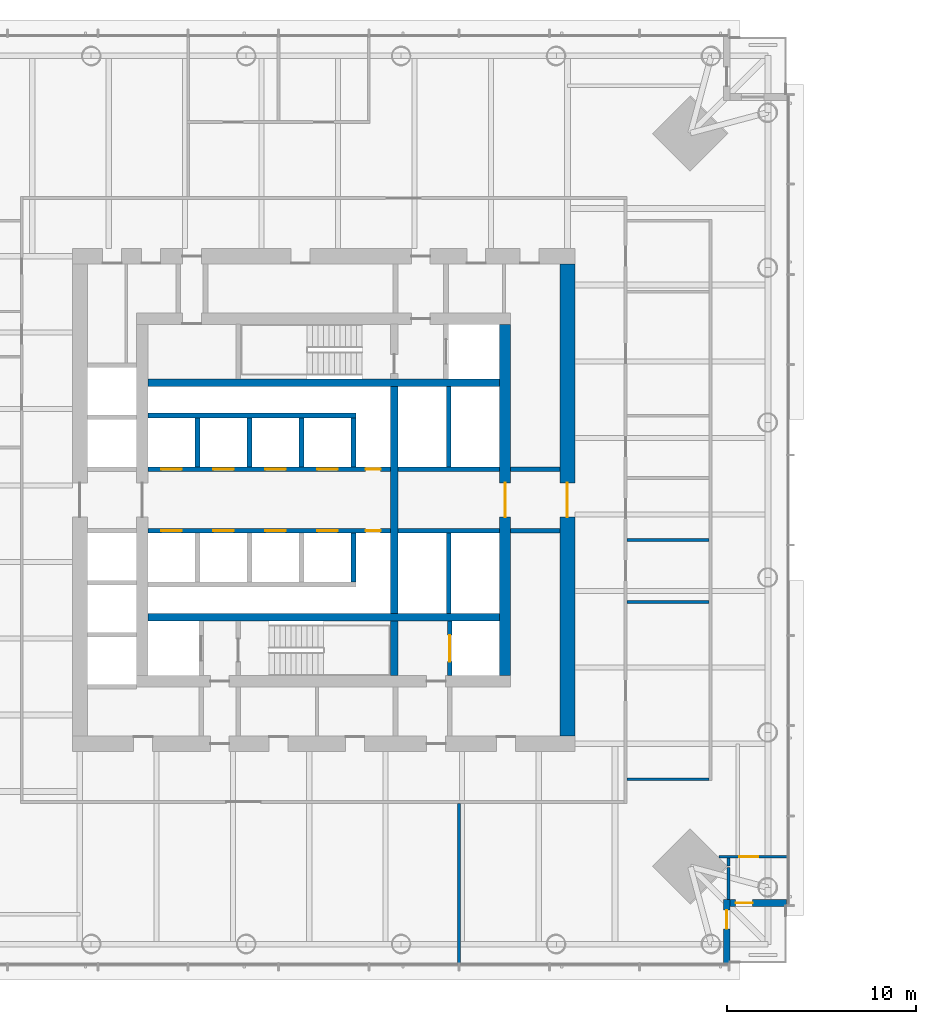
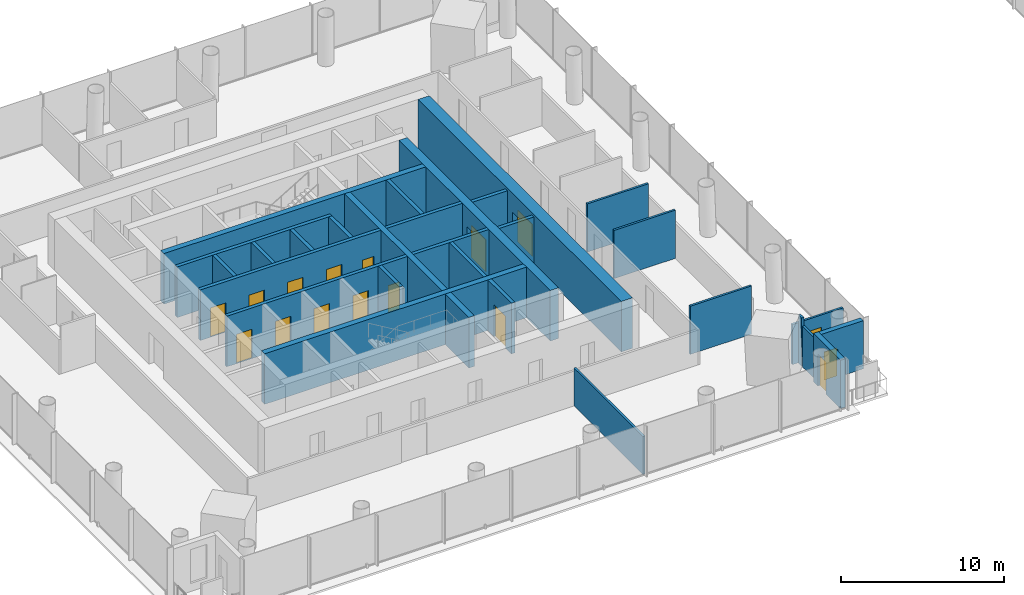
# One storey, part 10 of 26: 30 walls, 16 doors, 16 openings.
"""IFC4 building model written with IfcOpenShell, lengths in metres."""

import ifcopenshell
import ifcopenshell.guid

model = None  # the IFC model being written
_history = None  # IfcOwnerHistory: only IFC2X3 demands one
_inside = {}  # id of a spatial element -> (the spatial element, [elements in it])
_under = {}  # id of a project, library or spatial element -> (it, [spatial elements below it])
_declared = {}  # id of a project -> (the project, [libraries it declares])
_typed = {}  # id of a type object -> (the type object, [elements of that type])
_made_of = {}  # id of a material, layer set ... -> (it, [elements and type objects made of it])


def new_model(schema):
    """Start an empty IFC model of exactly this schema.

    Asked for "IFC4X3", IfcOpenShell would pick the latest addendum, in which some entities
    have other attributes; the version numbers below select the first issue.
    IFC2X3 requires an IfcOwnerHistory on every rooted entity: one is made here for all.
    """
    global model, _history
    if schema == "IFC4X3":
        model = ifcopenshell.file(schema_version=(4, 3, 0, 0))
    else:
        model = ifcopenshell.file(schema=schema)
    _inside.clear()
    _under.clear()
    _declared.clear()
    _typed.clear()
    _made_of.clear()
    _history = None
    if model.schema == "IFC2X3":
        org = make("IfcOrganization", Name="unknown")
        user = make(
            "IfcPersonAndOrganization",
            ThePerson=make("IfcPerson", FamilyName="unknown"),
            TheOrganization=org,
        )
        app = make(
            "IfcApplication",
            ApplicationDeveloper=org,
            Version="unknown",
            ApplicationFullName="unknown",
            ApplicationIdentifier="unknown",
        )
        _history = make(
            "IfcOwnerHistory",
            OwningUser=user,
            OwningApplication=app,
            ChangeAction="ADDED",
            CreationDate=0,
        )
    return model


def make(cls, **values):
    """One entity of the class cls with the attributes given. An attribute that is None is left unset."""
    return model.create_entity(
        cls, **{name: value for name, value in values.items() if value is not None}
    )


def rooted(cls, **values):
    """An entity with a GlobalId (a new one), such as an element, a storey or a relation."""
    return make(cls, GlobalId=ifcopenshell.guid.new(), OwnerHistory=_history, **values)


def si_unit(unit_type, name, prefix=None):
    """IfcSIUnit, for example si_unit("LENGTHUNIT", "METRE", prefix="MILLI")."""
    return make("IfcSIUnit", UnitType=unit_type, Prefix=prefix, Name=name)


def assignment(units):
    """IfcUnitAssignment: the units of a project."""
    return None if units is None else make("IfcUnitAssignment", Units=units)


def point(xyz):
    """IfcCartesianPoint."""
    return None if xyz is None else make("IfcCartesianPoint", Coordinates=xyz)


def direction(xyz):
    """IfcDirection."""
    return None if xyz is None else make("IfcDirection", DirectionRatios=xyz)


def frame(location, z_axis=None, x_axis=None):
    """IfcAxis2Placement3D, a coordinate frame: its origin and axes. An axis left out is left unset."""
    return make(
        "IfcAxis2Placement3D",
        Location=point(location),
        Axis=direction(z_axis),
        RefDirection=direction(x_axis),
    )


def frame_2d(location, x_axis=None):
    """IfcAxis2Placement2D, a coordinate frame in the plane: its origin and x axis."""
    return make(
        "IfcAxis2Placement2D", Location=point(location), RefDirection=direction(x_axis)
    )


def origin():
    """The frame at (0, 0, 0) with its axes left unset."""
    return frame((0.0, 0.0, 0.0))


def place(relative_to, where):
    """IfcLocalPlacement: puts the frame where relative to a parent placement (None: the world)."""
    return make(
        "IfcLocalPlacement", PlacementRelTo=relative_to, RelativePlacement=where
    )


def context(
    kind, dimensions, precision=None, world=None, true_north=None, identifier=None
):
    """IfcGeometricRepresentationContext, for example the 3D "Model" context."""
    return make(
        "IfcGeometricRepresentationContext",
        ContextIdentifier=identifier,
        ContextType=kind,
        CoordinateSpaceDimension=dimensions,
        Precision=precision,
        WorldCoordinateSystem=world,
        TrueNorth=true_north,
    )


def subcontext(parent, identifier, kind, view, scale=None):
    """IfcGeometricRepresentationSubContext, for example "Body" below "Model"."""
    return make(
        "IfcGeometricRepresentationSubContext",
        ContextIdentifier=identifier,
        ContextType=kind,
        ParentContext=parent,
        TargetScale=scale,
        TargetView=view,
    )


def project(units=None, contexts=None):
    """IfcProject with its units and contexts."""
    return rooted(
        "IfcProject",
        Name="project",
        RepresentationContexts=contexts,
        UnitsInContext=assignment(units),
    )


def spatial(cls, under=None, at=None, **own):
    """A site, building, storey or space (cls), placed at a placement, below another one or the project."""
    s = rooted(cls, ObjectPlacement=at, **own)
    if under is not None:
        _under.setdefault(under.id(), (under, []))[1].append(s)
    return s


def profile(cls, at=None, kind="AREA", **sizes):
    """A parametric profile (cls). Its sizes go by their IFC names, for example OverallWidth=200.0."""
    return make(cls, ProfileType=kind, Position=at, **sizes)


def rectangle(**sizes):
    """IfcRectangleProfileDef."""
    return profile("IfcRectangleProfileDef", **sizes)


def extrude(swept, where, along, depth):
    """IfcExtrudedAreaSolid: the profile swept, set in the frame where, extruded along a direction by depth."""
    return make(
        "IfcExtrudedAreaSolid",
        SweptArea=swept,
        Position=where,
        ExtrudedDirection=direction(along),
        Depth=depth,
    )


def shape(context_of_items, identifier, shape_type, items):
    """IfcShapeRepresentation: the items that make up one representation, for example the "Body"."""
    return make(
        "IfcShapeRepresentation",
        ContextOfItems=context_of_items,
        RepresentationIdentifier=identifier,
        RepresentationType=shape_type,
        Items=items,
    )


def material(Name=None, Category=None):
    """IfcMaterial."""
    return make("IfcMaterial", Name=Name, Category=Category)


def layer(
    of_material, thickness, ventilated=None, Name=None, Category=None, Priority=None
):
    """IfcMaterialLayer: one layer of a wall or slab, of a material (None: an air gap)."""
    return make(
        "IfcMaterialLayer",
        Material=of_material,
        LayerThickness=thickness,
        IsVentilated=ventilated,
        Name=Name,
        Category=Category,
        Priority=Priority,
    )


def layer_set(layers, Name=None):
    """IfcMaterialLayerSet."""
    return make("IfcMaterialLayerSet", MaterialLayers=layers, LayerSetName=Name)


def made_of(thing, what):
    """Note that an element or type object is made of a material, layer set ...; save() writes the relation."""
    if what is not None:
        _made_of.setdefault(what.id(), (what, []))[1].append(thing)
    return thing


def type_object(cls, material=None, **own):
    """A type object (cls), such as IfcWallType, which elements share."""
    return made_of(rooted(cls, **own), material)


def element(
    cls,
    number,
    at=None,
    inside=None,
    cuts=None,
    type_object=None,
    material=None,
    context=None,
    identifier="Body",
    shape_type=None,
    held_by="IfcProductDefinitionShape",
    body=None,
    shapes=None,
    **own,
):
    """One element of the class cls, such as IfcWall. Its Tag is "e" and its number.

    at: its placement. inside: the storey or other place that contains it. cuts: it is an
    opening in that element (IfcRelVoidsElement). A single representation is given by context,
    identifier, shape_type and body (its items); several are given by shapes. held_by: the class
    of the entity that holds the representations. save() writes the other relations.
    """
    e = rooted(cls, Tag="e%d" % number, ObjectPlacement=at, **own)
    if body is not None:
        shapes = [shape(context, identifier, shape_type, body)]
    if shapes is not None:
        e.Representation = make(held_by, Representations=shapes)
    if inside is not None:
        _inside.setdefault(inside.id(), (inside, []))[1].append(e)
    if cuts is not None:
        rooted(
            "IfcRelVoidsElement", RelatingBuildingElement=cuts, RelatedOpeningElement=e
        )
    if type_object is not None:
        _typed.setdefault(type_object.id(), (type_object, []))[1].append(e)
    return made_of(e, material)


def fill(opening, filler):
    """IfcRelFillsElement: the door or window that sits in an opening."""
    return rooted(
        "IfcRelFillsElement",
        RelatingOpeningElement=opening,
        RelatedBuildingElement=filler,
    )


def aggregate(whole, parts):
    """IfcRelAggregates: a whole, such as a stair, and the parts it consists of."""
    return rooted("IfcRelAggregates", RelatingObject=whole, RelatedObjects=parts)


def save(model, path):
    """Write the relations noted so far, then the file.

    IfcRelAggregates (storeys below a building ...), IfcRelContainedInSpatialStructure (elements
    in a storey), IfcRelDefinesByType, IfcRelAssociatesMaterial and IfcRelDeclares: one each for
    every whole, place, type object, material and project.
    """
    for whole, parts in _under.values():
        aggregate(whole, parts)
    for where, things in _inside.values():
        rooted(
            "IfcRelContainedInSpatialStructure",
            RelatedElements=things,
            RelatingStructure=where,
        )
    for kind, things in _typed.values():
        rooted("IfcRelDefinesByType", RelatedObjects=things, RelatingType=kind)
    for what, things in _made_of.values():
        rooted("IfcRelAssociatesMaterial", RelatedObjects=things, RelatingMaterial=what)
    for by, libraries in _declared.values():
        rooted("IfcRelDeclares", RelatingContext=by, RelatedDefinitions=libraries)
    model.write(path)


model = new_model("IFC4")

# Units and contexts
model_context = context("Model", 3, precision=1e-05, world=origin(), true_north=direction((0.0, 1.0)))
body_context = subcontext(model_context, "Body", "Model", "MODEL_VIEW")
ifc_project = project(units=[si_unit("LENGTHUNIT", "METRE"), si_unit("AREAUNIT", "SQUARE_METRE"), si_unit("VOLUMEUNIT", "CUBIC_METRE"), si_unit("PLANEANGLEUNIT", "RADIAN"), si_unit("MASSUNIT", "GRAM", prefix="KILO")], contexts=[model_context])

# Site, building, storey
site_placement = place(None, origin())
site = spatial("IfcSite", under=ifc_project, at=site_placement, CompositionType="ELEMENT")
building_placement = place(site_placement, origin())
building = spatial("IfcBuilding", under=site, at=building_placement, Name="Ostroluk Exchange", CompositionType="ELEMENT")
storey_placement = place(building_placement, frame((0.0, 0.0, 36.199951171875)))
storey = spatial("IfcBuildingStorey", under=building, at=storey_placement, Name="L08", CompositionType="ELEMENT", Elevation=36.199951171875)

# Walls
ifc_material_1 = material(Name="Concrete blockwork", Category="masonry")
ifc_layer_1 = layer(ifc_material_1, 0.25)
ifc_layer_set_1 = layer_set([ifc_layer_1], Name="Blockwork stair enclosure wall 250")
wall_type_1 = type_object("IfcWallType", Name="Blockwork stair enclosure wall 250", PredefinedType="SOLIDWALL", material=ifc_layer_set_1)
for number, where, z_axis, x_axis, name in (
    (1, (54.89990234375, 44.375, 0.0), (0.0, 0.0, 1.0), (1.0, 0.0, 0.0), "Lift lobby enclosure wall"),
    (2, (54.89990234375, 47.625, 0.0), (0.0, 0.0, 1.0), (1.0, 0.0, 0.0), "Lift lobby enclosure wall"),
):
    element("IfcWall", number, at=place(storey_placement, frame(where, z_axis=z_axis, x_axis=x_axis)), inside=storey, type_object=wall_type_1, Name=name, PredefinedType="SOLIDWALL", context=body_context, shape_type="SweptSolid", body=[
        extrude(rectangle(XDim=2.60009765625, YDim=0.25, at=frame_2d((1.300048828125, 0.0))), origin(), (0.0, 0.0, 1.0), 3.6201171875),
    ])
ifc_material_2 = material(Name="Concrete C50/60", Category="concrete")
ifc_layer_2 = layer(ifc_material_2, 0.39990234375)
ifc_layer_set_2 = layer_set([ifc_layer_2], Name="Core cross wall 400 C50/60")
wall_type_2 = type_object("IfcWallType", Name="Core cross wall 400 C50/60", PredefinedType="SHEAR", material=ifc_layer_set_2)
for number, where, z_axis, x_axis, name in (
    (3, (35.699951171875, 39.800048828125, 0.0), (0.0, 0.0, 1.0), (1.0, 0.0, 0.0), "T1 core wall XS"),
    (4, (35.699951171875, 52.199951171875, 0.0), (0.0, 0.0, 1.0), (1.0, 0.0, 0.0), "T1 core wall XN"),
):
    element("IfcWall", number, at=place(storey_placement, frame(where, z_axis=z_axis, x_axis=x_axis)), inside=storey, type_object=wall_type_2, Name=name, PredefinedType="SHEAR", context=body_context, shape_type="SweptSolid", body=[
        extrude(rectangle(XDim=18.60009765625, YDim=0.39990234375, at=frame_2d((9.300048828125, 0.0))), origin(), (0.0, 0.0, 1.0), 3.800048828125),
    ])
wall_1_placement = place(storey_placement, frame((48.72998046875, 36.699951171875, 0.0), z_axis=(0.0, 0.0, 1.0), x_axis=(0.0, 1.0, 0.0)))
element("IfcWall", 5, at=wall_1_placement, inside=storey, type_object=wall_type_2, Name="T1 core wall YE1", PredefinedType="SHEAR", context=body_context, shape_type="SweptSolid", body=[
    extrude(rectangle(XDim=2.900146484375, YDim=0.39990234375, at=frame_2d((1.4501953125, 0.0))), origin(), (0.0, 0.0, 1.0), 3.800048828125),
])
wall_2_placement = place(storey_placement, frame((48.72998046875, 40.0, 0.0), z_axis=(0.0, 0.0, 1.0), x_axis=(0.0, 1.0, 0.0)))
element("IfcWall", 6, at=wall_2_placement, inside=storey, type_object=wall_type_2, Name="T1 core wall YE2", PredefinedType="SHEAR", context=body_context, shape_type="SweptSolid", body=[
    extrude(rectangle(XDim=12.0, YDim=0.39990234375, at=frame_2d((6.0, 0.0))), origin(), (0.0, 0.0, 1.0), 3.800048828125),
])

# Wall, opening, door
ifc_material_3 = material(Name="Concrete C40/50", Category="concrete")
ifc_layer_3 = layer(ifc_material_3, 0.25)
ifc_layer_set_3 = layer_set([ifc_layer_3], Name="Core shaft wall 250")
wall_type_3 = type_object("IfcWallType", Name="Core shaft wall 250", PredefinedType="SHEAR", material=ifc_layer_set_3)
wall_3_placement = place(storey_placement, frame((51.675048828125, 36.699951171875, 0.0), z_axis=(0.0, 0.0, 1.0), x_axis=(0.0, 1.0, 0.0)))
wall_3 = element("IfcWall", 7, at=wall_3_placement, inside=storey, type_object=wall_type_3, Name="Service lift shaft wall", PredefinedType="SHEAR", context=body_context, shape_type="SweptSolid", body=[
    extrude(rectangle(XDim=2.900146484375, YDim=0.25, at=frame_2d((1.4501953125, 0.0))), origin(), (0.0, 0.0, 1.0), 3.800048828125),
])
opening_1_placement = place(wall_3_placement, frame((0.75, 0.0, 0.0)))
opening_1 = element("IfcOpeningElement", 8, at=opening_1_placement, cuts=wall_3, Name="Opening LD3", PredefinedType="OPENING", context=body_context, shape_type="SweptSolid", body=[
    extrude(rectangle(XDim=1.39990234375, YDim=2.39990234375, at=frame_2d((0.699951171875, 1.199951171875))), frame((0.0, 0.135009765625, 0.0), z_axis=(0.0, -1.0, 0.0), x_axis=(1.0, 0.0, 0.0)), (0.0, 0.0, 1.0), 0.27001953125),
])
ifc_material_4 = material(Name="Stainless steel", Category="steel")
door_type_1 = type_object("IfcDoorType", Name="Goods lift landing door E 60 1400 x 2400", OperationType="DOUBLE_DOOR_SLIDING", PredefinedType="DOOR", material=ifc_material_4)
door_1_placement = place(opening_1_placement, origin())
door_1 = element("IfcDoor", 9, at=door_1_placement, inside=storey, type_object=door_type_1, Name="Lift SL1 landing door", OperationType="DOUBLE_DOOR_SLIDING", OverallHeight=2.39990234375, OverallWidth=1.39990234375, PredefinedType="DOOR", context=body_context, shape_type="SweptSolid", body=[
    extrude(rectangle(XDim=1.39990234375, YDim=2.39990234375, at=frame_2d((0.699951171875, 1.199951171875))), frame((0.0, 0.02490234375, 0.0), z_axis=(0.0, -1.0, 0.0), x_axis=(1.0, 0.0, 0.0)), (0.0, 0.0, 1.0), 0.050048828125),
])
fill(opening_1, door_1)

# Walls
for number, where, z_axis, x_axis, name in (
    (10, (38.324951171875, 47.75, 0.0), (0.0, 0.0, 1.0), (0.0, 1.0, 0.0), "Lift shaft wall"),
    (11, (41.074951171875, 47.75, 0.0), (0.0, 0.0, 1.0), (0.0, 1.0, 0.0), "Lift shaft wall"),
    (12, (43.824951171875, 47.75, 0.0), (0.0, 0.0, 1.0), (0.0, 1.0, 0.0), "Lift shaft wall"),
    (13, (46.574951171875, 47.75, 0.0), (0.0, 0.0, 1.0), (0.0, 1.0, 0.0), "Lift shaft wall"),
):
    element("IfcWall", number, at=place(storey_placement, frame(where, z_axis=z_axis, x_axis=x_axis)), inside=storey, type_object=wall_type_3, Name=name, PredefinedType="SHEAR", context=body_context, shape_type="SweptSolid", body=[
        extrude(rectangle(XDim=2.60009765625, YDim=0.25, at=frame_2d((1.300048828125, 0.0))), origin(), (0.0, 0.0, 1.0), 3.800048828125),
    ])
wall_4_placement = place(storey_placement, frame((35.699951171875, 50.47509765625, 0.0), z_axis=(0.0, 0.0, 1.0), x_axis=(1.0, 0.0, 0.0)))
element("IfcWall", 14, at=wall_4_placement, inside=storey, type_object=wall_type_3, Name="Lift shaft wall", PredefinedType="SHEAR", context=body_context, shape_type="SweptSolid", body=[
    extrude(rectangle(XDim=11.0, YDim=0.25, at=frame_2d((5.5, 0.0))), origin(), (0.0, 0.0, 1.0), 3.800048828125),
])

# Wall, openings, doors
wall_5_placement = place(storey_placement, frame((35.699951171875, 47.625, 0.0), z_axis=(0.0, 0.0, 1.0), x_axis=(1.0, 0.0, 0.0)))
wall_5 = element("IfcWall", 15, at=wall_5_placement, inside=storey, type_object=wall_type_3, Name="Lift shaft front wall", PredefinedType="SHEAR", context=body_context, shape_type="SweptSolid", body=[
    extrude(rectangle(XDim=12.830078125, YDim=0.25, at=frame_2d((6.4150390625, 0.0))), origin(), (0.0, 0.0, 1.0), 3.800048828125),
])
opening_2_placement = place(wall_5_placement, frame((0.699951171875, 0.0, 0.0)))
opening_2 = element("IfcOpeningElement", 16, at=opening_2_placement, cuts=wall_5, Name="Opening LD", PredefinedType="OPENING", context=body_context, shape_type="SweptSolid", body=[
    extrude(rectangle(XDim=1.10009765625, YDim=2.199951171875, at=frame_2d((0.550048828125, 1.10009765625))), frame((0.0, 0.135009765625, 0.0), z_axis=(0.0, -1.0, 0.0), x_axis=(1.0, 0.0, 0.0)), (0.0, 0.0, 1.0), 0.27001953125),
])
opening_3_placement = place(wall_5_placement, frame((3.449951171875, 0.0, 0.0)))
opening_3 = element("IfcOpeningElement", 17, at=opening_3_placement, cuts=wall_5, Name="Opening LD", PredefinedType="OPENING", context=body_context, shape_type="SweptSolid", body=[
    extrude(rectangle(XDim=1.10009765625, YDim=2.199951171875, at=frame_2d((0.550048828125, 1.10009765625))), frame((0.0, 0.135009765625, 0.0), z_axis=(0.0, -1.0, 0.0), x_axis=(1.0, 0.0, 0.0)), (0.0, 0.0, 1.0), 0.27001953125),
])
opening_4_placement = place(wall_5_placement, frame((6.199951171875, 0.0, 0.0)))
opening_4 = element("IfcOpeningElement", 18, at=opening_4_placement, cuts=wall_5, Name="Opening LD", PredefinedType="OPENING", context=body_context, shape_type="SweptSolid", body=[
    extrude(rectangle(XDim=1.10009765625, YDim=2.199951171875, at=frame_2d((0.550048828125, 1.10009765625))), frame((0.0, 0.135009765625, 0.0), z_axis=(0.0, -1.0, 0.0), x_axis=(1.0, 0.0, 0.0)), (0.0, 0.0, 1.0), 0.27001953125),
])
opening_5_placement = place(wall_5_placement, frame((8.949951171875, 0.0, 0.0)))
opening_5 = element("IfcOpeningElement", 19, at=opening_5_placement, cuts=wall_5, Name="Opening LD", PredefinedType="OPENING", context=body_context, shape_type="SweptSolid", body=[
    extrude(rectangle(XDim=1.10009765625, YDim=2.199951171875, at=frame_2d((0.550048828125, 1.10009765625))), frame((0.0, 0.135009765625, 0.0), z_axis=(0.0, -1.0, 0.0), x_axis=(1.0, 0.0, 0.0)), (0.0, 0.0, 1.0), 0.27001953125),
])
opening_6_placement = place(wall_5_placement, frame((11.514892578125, 0.0, 0.0)))
opening_6 = element("IfcOpeningElement", 20, at=opening_6_placement, cuts=wall_5, Name="Opening RD60", PredefinedType="OPENING", context=body_context, shape_type="SweptSolid", body=[
    extrude(rectangle(XDim=0.800048828125, YDim=2.0, at=frame_2d((0.39990234375, 1.0))), frame((0.0, 0.135009765625, 0.0), z_axis=(0.0, -1.0, 0.0), x_axis=(1.0, 0.0, 0.0)), (0.0, 0.0, 1.0), 0.27001953125),
])
ifc_material_5 = material(Name="Stainless steel", Category="steel")
door_type_2 = type_object("IfcDoorType", Name="Lift landing door E 60 1100 x 2200", OperationType="DOUBLE_DOOR_SLIDING", PredefinedType="DOOR", material=ifc_material_5)
door_2_placement = place(opening_2_placement, origin())
door_2 = element("IfcDoor", 21, at=door_2_placement, inside=storey, type_object=door_type_2, Name="Lift PL-L1 landing door", OperationType="DOUBLE_DOOR_SLIDING", OverallHeight=2.199951171875, OverallWidth=1.10009765625, PredefinedType="DOOR", context=body_context, shape_type="SweptSolid", body=[
    extrude(rectangle(XDim=1.10009765625, YDim=2.199951171875, at=frame_2d((0.550048828125, 1.10009765625))), frame((0.0, 0.02490234375, 0.0), z_axis=(0.0, -1.0, 0.0), x_axis=(1.0, 0.0, 0.0)), (0.0, 0.0, 1.0), 0.050048828125),
])
fill(opening_2, door_2)
door_3_placement = place(opening_3_placement, origin())
door_3 = element("IfcDoor", 22, at=door_3_placement, inside=storey, type_object=door_type_2, Name="Lift PL-L2 landing door", OperationType="DOUBLE_DOOR_SLIDING", OverallHeight=2.199951171875, OverallWidth=1.10009765625, PredefinedType="DOOR", context=body_context, shape_type="SweptSolid", body=[
    extrude(rectangle(XDim=1.10009765625, YDim=2.199951171875, at=frame_2d((0.550048828125, 1.10009765625))), frame((0.0, 0.02490234375, 0.0), z_axis=(0.0, -1.0, 0.0), x_axis=(1.0, 0.0, 0.0)), (0.0, 0.0, 1.0), 0.050048828125),
])
fill(opening_3, door_3)
door_4_placement = place(opening_4_placement, origin())
door_4 = element("IfcDoor", 23, at=door_4_placement, inside=storey, type_object=door_type_2, Name="Lift PL-L3 landing door", OperationType="DOUBLE_DOOR_SLIDING", OverallHeight=2.199951171875, OverallWidth=1.10009765625, PredefinedType="DOOR", context=body_context, shape_type="SweptSolid", body=[
    extrude(rectangle(XDim=1.10009765625, YDim=2.199951171875, at=frame_2d((0.550048828125, 1.10009765625))), frame((0.0, 0.02490234375, 0.0), z_axis=(0.0, -1.0, 0.0), x_axis=(1.0, 0.0, 0.0)), (0.0, 0.0, 1.0), 0.050048828125),
])
fill(opening_4, door_4)
door_5_placement = place(opening_5_placement, origin())
door_5 = element("IfcDoor", 24, at=door_5_placement, inside=storey, type_object=door_type_2, Name="Lift PL-L4 landing door", OperationType="DOUBLE_DOOR_SLIDING", OverallHeight=2.199951171875, OverallWidth=1.10009765625, PredefinedType="DOOR", context=body_context, shape_type="SweptSolid", body=[
    extrude(rectangle(XDim=1.10009765625, YDim=2.199951171875, at=frame_2d((0.550048828125, 1.10009765625))), frame((0.0, 0.02490234375, 0.0), z_axis=(0.0, -1.0, 0.0), x_axis=(1.0, 0.0, 0.0)), (0.0, 0.0, 1.0), 0.050048828125),
])
fill(opening_5, door_5)
ifc_material_6 = material(Name="Steel", Category="steel")
door_type_3 = type_object("IfcDoorType", Name="Riser access door EI 60 800 x 2000", OperationType="SINGLE_SWING_LEFT", PredefinedType="DOOR", material=ifc_material_6)
door_6_placement = place(opening_6_placement, origin())
door_6 = element("IfcDoor", 25, at=door_6_placement, inside=storey, type_object=door_type_3, Name="Riser access door", OperationType="SINGLE_SWING_RIGHT", OverallHeight=2.0, OverallWidth=0.800048828125, PredefinedType="DOOR", context=body_context, shape_type="SweptSolid", body=[
    extrude(rectangle(XDim=0.800048828125, YDim=2.0, at=frame_2d((0.39990234375, 1.0))), frame((0.0, 0.02490234375, 0.0), z_axis=(0.0, -1.0, 0.0), x_axis=(1.0, 0.0, 0.0)), (0.0, 0.0, 1.0), 0.050048828125),
])
fill(opening_6, door_6)

# Wall
wall_6_placement = place(storey_placement, frame((46.574951171875, 44.25, 0.0), z_axis=(0.0, 0.0, 1.0), x_axis=(0.0, -1.0, 0.0)))
element("IfcWall", 26, at=wall_6_placement, inside=storey, type_object=wall_type_3, Name="Lift shaft wall", PredefinedType="SHEAR", context=body_context, shape_type="SweptSolid", body=[
    extrude(rectangle(XDim=2.60009765625, YDim=0.25, at=frame_2d((1.300048828125, 0.0))), origin(), (0.0, 0.0, 1.0), 3.800048828125),
])

# Wall, openings, doors
wall_7_placement = place(storey_placement, frame((35.699951171875, 44.375, 0.0), z_axis=(0.0, 0.0, 1.0), x_axis=(1.0, 0.0, 0.0)))
wall_7 = element("IfcWall", 27, at=wall_7_placement, inside=storey, type_object=wall_type_3, Name="Lift shaft front wall", PredefinedType="SHEAR", context=body_context, shape_type="SweptSolid", body=[
    extrude(rectangle(XDim=12.830078125, YDim=0.25, at=frame_2d((6.4150390625, 0.0))), origin(), (0.0, 0.0, 1.0), 3.800048828125),
])
opening_7_placement = place(wall_7_placement, frame((0.699951171875, 0.0, 0.0)))
opening_7 = element("IfcOpeningElement", 28, at=opening_7_placement, cuts=wall_7, Name="Opening LD", PredefinedType="OPENING", context=body_context, shape_type="SweptSolid", body=[
    extrude(rectangle(XDim=1.10009765625, YDim=2.199951171875, at=frame_2d((0.550048828125, 1.10009765625))), frame((0.0, 0.135009765625, 0.0), z_axis=(0.0, -1.0, 0.0), x_axis=(1.0, 0.0, 0.0)), (0.0, 0.0, 1.0), 0.27001953125),
])
opening_8_placement = place(wall_7_placement, frame((3.449951171875, 0.0, 0.0)))
opening_8 = element("IfcOpeningElement", 29, at=opening_8_placement, cuts=wall_7, Name="Opening LD", PredefinedType="OPENING", context=body_context, shape_type="SweptSolid", body=[
    extrude(rectangle(XDim=1.10009765625, YDim=2.199951171875, at=frame_2d((0.550048828125, 1.10009765625))), frame((0.0, 0.135009765625, 0.0), z_axis=(0.0, -1.0, 0.0), x_axis=(1.0, 0.0, 0.0)), (0.0, 0.0, 1.0), 0.27001953125),
])
opening_9_placement = place(wall_7_placement, frame((6.199951171875, 0.0, 0.0)))
opening_9 = element("IfcOpeningElement", 30, at=opening_9_placement, cuts=wall_7, Name="Opening LD", PredefinedType="OPENING", context=body_context, shape_type="SweptSolid", body=[
    extrude(rectangle(XDim=1.10009765625, YDim=2.199951171875, at=frame_2d((0.550048828125, 1.10009765625))), frame((0.0, 0.135009765625, 0.0), z_axis=(0.0, -1.0, 0.0), x_axis=(1.0, 0.0, 0.0)), (0.0, 0.0, 1.0), 0.27001953125),
])
opening_10_placement = place(wall_7_placement, frame((8.949951171875, 0.0, 0.0)))
opening_10 = element("IfcOpeningElement", 31, at=opening_10_placement, cuts=wall_7, Name="Opening LD", PredefinedType="OPENING", context=body_context, shape_type="SweptSolid", body=[
    extrude(rectangle(XDim=1.10009765625, YDim=2.199951171875, at=frame_2d((0.550048828125, 1.10009765625))), frame((0.0, 0.135009765625, 0.0), z_axis=(0.0, -1.0, 0.0), x_axis=(1.0, 0.0, 0.0)), (0.0, 0.0, 1.0), 0.27001953125),
])
opening_11_placement = place(wall_7_placement, frame((11.514892578125, 0.0, 0.0)))
opening_11 = element("IfcOpeningElement", 32, at=opening_11_placement, cuts=wall_7, Name="Opening RD60", PredefinedType="OPENING", context=body_context, shape_type="SweptSolid", body=[
    extrude(rectangle(XDim=0.800048828125, YDim=2.0, at=frame_2d((0.39990234375, 1.0))), frame((0.0, 0.135009765625, 0.0), z_axis=(0.0, -1.0, 0.0), x_axis=(1.0, 0.0, 0.0)), (0.0, 0.0, 1.0), 0.27001953125),
])
door_7_placement = place(opening_7_placement, origin())
door_7 = element("IfcDoor", 33, at=door_7_placement, inside=storey, type_object=door_type_2, Name="Lift PL-L5 landing door", OperationType="DOUBLE_DOOR_SLIDING", OverallHeight=2.199951171875, OverallWidth=1.10009765625, PredefinedType="DOOR", context=body_context, shape_type="SweptSolid", body=[
    extrude(rectangle(XDim=1.10009765625, YDim=2.199951171875, at=frame_2d((0.550048828125, 1.10009765625))), frame((0.0, 0.02490234375, 0.0), z_axis=(0.0, -1.0, 0.0), x_axis=(1.0, 0.0, 0.0)), (0.0, 0.0, 1.0), 0.050048828125),
])
fill(opening_7, door_7)
door_8_placement = place(opening_8_placement, origin())
door_8 = element("IfcDoor", 34, at=door_8_placement, inside=storey, type_object=door_type_2, Name="Lift PL-L6 landing door", OperationType="DOUBLE_DOOR_SLIDING", OverallHeight=2.199951171875, OverallWidth=1.10009765625, PredefinedType="DOOR", context=body_context, shape_type="SweptSolid", body=[
    extrude(rectangle(XDim=1.10009765625, YDim=2.199951171875, at=frame_2d((0.550048828125, 1.10009765625))), frame((0.0, 0.02490234375, 0.0), z_axis=(0.0, -1.0, 0.0), x_axis=(1.0, 0.0, 0.0)), (0.0, 0.0, 1.0), 0.050048828125),
])
fill(opening_8, door_8)
door_9_placement = place(opening_9_placement, origin())
door_9 = element("IfcDoor", 35, at=door_9_placement, inside=storey, type_object=door_type_2, Name="Lift PL-L7 landing door", OperationType="DOUBLE_DOOR_SLIDING", OverallHeight=2.199951171875, OverallWidth=1.10009765625, PredefinedType="DOOR", context=body_context, shape_type="SweptSolid", body=[
    extrude(rectangle(XDim=1.10009765625, YDim=2.199951171875, at=frame_2d((0.550048828125, 1.10009765625))), frame((0.0, 0.02490234375, 0.0), z_axis=(0.0, -1.0, 0.0), x_axis=(1.0, 0.0, 0.0)), (0.0, 0.0, 1.0), 0.050048828125),
])
fill(opening_9, door_9)
door_10_placement = place(opening_10_placement, origin())
door_10 = element("IfcDoor", 36, at=door_10_placement, inside=storey, type_object=door_type_2, Name="Lift PL-L8 landing door", OperationType="DOUBLE_DOOR_SLIDING", OverallHeight=2.199951171875, OverallWidth=1.10009765625, PredefinedType="DOOR", context=body_context, shape_type="SweptSolid", body=[
    extrude(rectangle(XDim=1.10009765625, YDim=2.199951171875, at=frame_2d((0.550048828125, 1.10009765625))), frame((0.0, 0.02490234375, 0.0), z_axis=(0.0, -1.0, 0.0), x_axis=(1.0, 0.0, 0.0)), (0.0, 0.0, 1.0), 0.050048828125),
])
fill(opening_10, door_10)
door_11_placement = place(opening_11_placement, origin())
door_11 = element("IfcDoor", 37, at=door_11_placement, inside=storey, type_object=door_type_3, Name="Riser access door", OperationType="SINGLE_SWING_RIGHT", OverallHeight=2.0, OverallWidth=0.800048828125, PredefinedType="DOOR", context=body_context, shape_type="SweptSolid", body=[
    extrude(rectangle(XDim=0.800048828125, YDim=2.0, at=frame_2d((0.39990234375, 1.0))), frame((0.0, 0.02490234375, 0.0), z_axis=(0.0, -1.0, 0.0), x_axis=(1.0, 0.0, 0.0)), (0.0, 0.0, 1.0), 0.050048828125),
])
fill(opening_11, door_11)

# Walls
wall_8_placement = place(storey_placement, frame((51.614990234375, 47.75, 0.0), z_axis=(0.0, 0.0, 1.0), x_axis=(0.0, 1.0, 0.0)))
element("IfcWall", 38, at=wall_8_placement, inside=storey, type_object=wall_type_3, Name="Lift shaft wall", PredefinedType="SHEAR", context=body_context, shape_type="SweptSolid", body=[
    extrude(rectangle(XDim=4.25, YDim=0.25, at=frame_2d((2.125, 0.0))), origin(), (0.0, 0.0, 1.0), 3.800048828125),
])
wall_9_placement = place(storey_placement, frame((48.929931640625, 47.625, 0.0), z_axis=(0.0, 0.0, 1.0), x_axis=(1.0, 0.0, 0.0)))
element("IfcWall", 39, at=wall_9_placement, inside=storey, type_object=wall_type_3, Name="Lift shaft front wall", PredefinedType="SHEAR", context=body_context, shape_type="SweptSolid", body=[
    extrude(rectangle(XDim=5.3701171875, YDim=0.25, at=frame_2d((2.68505859375, 0.0))), origin(), (0.0, 0.0, 1.0), 3.800048828125),
])
wall_10_placement = place(storey_placement, frame((51.614990234375, 44.25, 0.0), z_axis=(0.0, 0.0, 1.0), x_axis=(0.0, -1.0, 0.0)))
element("IfcWall", 40, at=wall_10_placement, inside=storey, type_object=wall_type_3, Name="Lift shaft wall", PredefinedType="SHEAR", context=body_context, shape_type="SweptSolid", body=[
    extrude(rectangle(XDim=4.25, YDim=0.25, at=frame_2d((2.125, 0.0))), origin(), (0.0, 0.0, 1.0), 3.800048828125),
])
wall_11_placement = place(storey_placement, frame((48.929931640625, 44.375, 0.0), z_axis=(0.0, 0.0, 1.0), x_axis=(1.0, 0.0, 0.0)))
element("IfcWall", 41, at=wall_11_placement, inside=storey, type_object=wall_type_3, Name="Lift shaft front wall", PredefinedType="SHEAR", context=body_context, shape_type="SweptSolid", body=[
    extrude(rectangle(XDim=5.3701171875, YDim=0.25, at=frame_2d((2.68505859375, 0.0))), origin(), (0.0, 0.0, 1.0), 3.800048828125),
])

# Wall, opening, door
ifc_material_7 = material(Name="Concrete C50/60", Category="concrete")
ifc_layer_4 = layer(ifc_material_7, 0.60009765625)
ifc_layer_set_4 = layer_set([ifc_layer_4], Name="Core wall 600 C50/60")
wall_type_4 = type_object("IfcWallType", Name="Core wall 600 C50/60", PredefinedType="SHEAR", material=ifc_layer_set_4)
wall_12_placement = place(storey_placement, frame((54.60009765625, 36.699951171875, 0.0), z_axis=(0.0, 0.0, 1.0), x_axis=(0.0, 1.0, 0.0)))
wall_12 = element("IfcWall", 42, at=wall_12_placement, inside=storey, type_object=wall_type_4, Name="T1 core wall E", PredefinedType="SHEAR", context=body_context, shape_type="SweptSolid", body=[
    extrude(rectangle(XDim=18.60009765625, YDim=0.60009765625, at=frame_2d((9.300048828125, 0.0))), origin(), (0.0, 0.0, 1.0), 3.800048828125),
])
opening_12_placement = place(wall_12_placement, frame((8.39990234375, 0.0, 0.0)))
opening_12 = element("IfcOpeningElement", 43, at=opening_12_placement, cuts=wall_12, Name="Opening FD30D", PredefinedType="OPENING", context=body_context, shape_type="SweptSolid", body=[
    extrude(rectangle(XDim=1.800048828125, YDim=2.39990234375, at=frame_2d((0.89990234375, 1.199951171875))), frame((0.0, 0.31005859375, 0.0), z_axis=(0.0, -1.0, 0.0), x_axis=(1.0, 0.0, 0.0)), (0.0, 0.0, 1.0), 0.6201171875),
])
ifc_material_8 = material(Name="Timber", Category="wood")
door_type_4 = type_object("IfcDoorType", Name="Lobby double door EI 30 1800 x 2400", OperationType="DOUBLE_DOOR_SINGLE_SWING", PredefinedType="DOOR", material=ifc_material_8)
door_12_placement = place(opening_12_placement, origin())
door_12 = element("IfcDoor", 44, at=door_12_placement, inside=storey, type_object=door_type_4, Name="Lift lobby doors", OperationType="DOUBLE_DOOR_SINGLE_SWING", OverallHeight=2.39990234375, OverallWidth=1.800048828125, PredefinedType="DOOR", context=body_context, shape_type="SweptSolid", body=[
    extrude(rectangle(XDim=1.800048828125, YDim=2.39990234375, at=frame_2d((0.89990234375, 1.199951171875))), frame((0.0, 0.02490234375, 0.0), z_axis=(0.0, -1.0, 0.0), x_axis=(1.0, 0.0, 0.0)), (0.0, 0.0, 1.0), 0.050048828125),
])
fill(opening_12, door_12)

ifc_material_9 = material(Name="Concrete C50/60", Category="concrete")
ifc_layer_5 = layer(ifc_material_9, 0.800048828125)
ifc_layer_set_5 = layer_set([ifc_layer_5], Name="Core wall 800 C50/60")
wall_type_5 = type_object("IfcWallType", Name="Core wall 800 C50/60", PredefinedType="SHEAR", material=ifc_layer_set_5)
wall_13_placement = place(storey_placement, frame((57.89990234375, 33.5, 0.0), z_axis=(0.0, 0.0, 1.0), x_axis=(0.0, 1.0, 0.0)))
wall_13 = element("IfcWall", 45, at=wall_13_placement, inside=storey, type_object=wall_type_5, Name="T1 core wall RE", PredefinedType="SHEAR", context=body_context, shape_type="SweptSolid", body=[
    extrude(rectangle(XDim=25.0, YDim=0.800048828125, at=frame_2d((12.5, 0.0))), origin(), (0.0, 0.0, 1.0), 3.800048828125),
])
opening_13_placement = place(wall_13_placement, frame((11.60009765625, 0.0, 0.0)))
opening_13 = element("IfcOpeningElement", 46, at=opening_13_placement, cuts=wall_13, Name="Opening FD30D", PredefinedType="OPENING", context=body_context, shape_type="SweptSolid", body=[
    extrude(rectangle(XDim=1.800048828125, YDim=2.39990234375, at=frame_2d((0.89990234375, 1.199951171875))), frame((0.0, 0.409912109375, 0.0), z_axis=(0.0, -1.0, 0.0), x_axis=(1.0, 0.0, 0.0)), (0.0, 0.0, 1.0), 0.820068359375),
])
door_13_placement = place(opening_13_placement, origin())
door_13 = element("IfcDoor", 47, at=door_13_placement, inside=storey, type_object=door_type_4, Name="Lift lobby doors", OperationType="DOUBLE_DOOR_SINGLE_SWING", OverallHeight=2.39990234375, OverallWidth=1.800048828125, PredefinedType="DOOR", context=body_context, shape_type="SweptSolid", body=[
    extrude(rectangle(XDim=1.800048828125, YDim=2.39990234375, at=frame_2d((0.89990234375, 1.199951171875))), frame((0.0, 0.02490234375, 0.0), z_axis=(0.0, -1.0, 0.0), x_axis=(1.0, 0.0, 0.0)), (0.0, 0.0, 1.0), 0.050048828125),
])
fill(opening_13, door_13)

ifc_material_10 = material(Name="Limestone", Category="masonry")
ifc_layer_6 = layer(ifc_material_10, 0.35009765625)
ifc_layer_set_6 = layer_set([ifc_layer_6], Name="Limestone facade wall 350")
wall_type_6 = type_object("IfcWallType", Name="Limestone facade wall 350", PredefinedType="SOLIDWALL", material=ifc_layer_set_6)
wall_14_placement = place(storey_placement, frame((66.324951171875, 21.5, 0.0), z_axis=(0.0, 0.0, 1.0), x_axis=(0.0, 1.0, 0.0)))
wall_14 = element("IfcWall", 48, at=wall_14_placement, inside=storey, type_object=wall_type_6, Name="Office tower SE corner wall L08 a", PredefinedType="SOLIDWALL", context=body_context, shape_type="SweptSolid", body=[
    extrude(rectangle(XDim=3.35009765625, YDim=0.35009765625, at=frame_2d((1.675048828125, 0.0))), origin(), (0.0, 0.0, 1.0), 3.6201171875),
])
opening_14_placement = place(wall_14_placement, frame((1.800048828125, 0.0, 0.0)))
opening_14 = element("IfcOpeningElement", 49, at=opening_14_placement, cuts=wall_14, Name="Opening D-B1", PredefinedType="OPENING", context=body_context, shape_type="SweptSolid", body=[
    extrude(rectangle(XDim=1.0, YDim=2.39990234375, at=frame_2d((0.5, 1.199951171875))), frame((0.0, 0.18505859375, 0.0), z_axis=(0.0, -1.0, 0.0), x_axis=(1.0, 0.0, 0.0)), (0.0, 0.0, 1.0), 0.3701171875),
])
ifc_material_11 = material(Name="Bronze framed glazed door", Category="aluminium")
door_type_5 = type_object("IfcDoorType", Name="Balcony door 1000 x 2400", OperationType="SINGLE_SWING_LEFT", PredefinedType="DOOR", material=ifc_material_11)
door_14_placement = place(opening_14_placement, origin())
door_14 = element("IfcDoor", 50, at=door_14_placement, inside=storey, type_object=door_type_5, Name="Office tower SE balcony door L08", OperationType="SINGLE_SWING_RIGHT", OverallHeight=2.39990234375, OverallWidth=1.0, PredefinedType="DOOR", context=body_context, shape_type="SweptSolid", body=[
    extrude(rectangle(XDim=1.0, YDim=2.39990234375, at=frame_2d((0.5, 1.199951171875))), frame((0.0, 0.02490234375, 0.0), z_axis=(0.0, -1.0, 0.0), x_axis=(1.0, 0.0, 0.0)), (0.0, 0.0, 1.0), 0.050048828125),
])
fill(opening_14, door_14)

wall_15_placement = place(storey_placement, frame((66.5, 24.675048828125, 0.0), z_axis=(0.0, 0.0, 1.0), x_axis=(1.0, 0.0, 0.0)))
wall_15 = element("IfcWall", 51, at=wall_15_placement, inside=storey, type_object=wall_type_6, Name="Office tower SE corner wall L08 b", PredefinedType="SOLIDWALL", context=body_context, shape_type="SweptSolid", body=[
    extrude(rectangle(XDim=3.0, YDim=0.35009765625, at=frame_2d((1.5, 0.0))), origin(), (0.0, 0.0, 1.0), 3.6201171875),
])
opening_15_placement = place(wall_15_placement, frame((0.300048828125, 0.0, 0.0)))
opening_15 = element("IfcOpeningElement", 52, at=opening_15_placement, cuts=wall_15, Name="Opening D-M1", PredefinedType="OPENING", context=body_context, shape_type="SweptSolid", body=[
    extrude(rectangle(XDim=0.89990234375, YDim=2.10009765625, at=frame_2d((0.449951171875, 1.050048828125))), frame((0.0, 0.18505859375, 0.0), z_axis=(0.0, -1.0, 0.0), x_axis=(1.0, 0.0, 0.0)), (0.0, 0.0, 1.0), 0.3701171875),
])
ifc_material_12 = material(Name="Steel door", Category="steel")
door_type_6 = type_object("IfcDoorType", Name="Maintenance access door 900 x 2100", OperationType="SINGLE_SWING_LEFT", PredefinedType="DOOR", material=ifc_material_12)
door_15_placement = place(opening_15_placement, origin())
door_15 = element("IfcDoor", 53, at=door_15_placement, inside=storey, type_object=door_type_6, Name="Maintenance access door T1 L08 SE", OperationType="SINGLE_SWING_LEFT", OverallHeight=2.10009765625, OverallWidth=0.89990234375, PredefinedType="DOOR", context=body_context, shape_type="SweptSolid", body=[
    extrude(rectangle(XDim=0.89990234375, YDim=2.10009765625, at=frame_2d((0.449951171875, 1.050048828125))), frame((0.0, 0.02490234375, 0.0), z_axis=(0.0, -1.0, 0.0), x_axis=(1.0, 0.0, 0.0)), (0.0, 0.0, 1.0), 0.050048828125),
])
fill(opening_15, door_15)

# Walls
ifc_material_13 = material(Name="Gypsum plasterboard partition", Category="gypsum")
ifc_layer_7 = layer(ifc_material_13, 0.14990234375)
ifc_layer_set_7 = layer_set([ifc_layer_7], Name="Plasterboard partition 150")
wall_type_7 = type_object("IfcWallType", Name="Plasterboard partition 150", PredefinedType="PARTITIONING", material=ifc_layer_set_7)
for number, where, z_axis, x_axis, name in (
    (54, (61.050048828125, 31.22509765625, 0.0), (0.0, 0.0, 1.0), (1.0, 0.0, 0.0), "Partition"),
    (55, (61.050048828125, 40.60595703125, 0.0), (0.0, 0.0, 1.0), (1.0, 0.0, 0.0), "Partition"),
    (56, (61.050048828125, 43.889404296875, 0.0), (0.0, 0.0, 1.0), (1.0, 0.0, 0.0), "Partition"),
):
    element("IfcWall", number, at=place(storey_placement, frame(where, z_axis=z_axis, x_axis=x_axis)), inside=storey, type_object=wall_type_7, Name=name, PredefinedType="PARTITIONING", context=body_context, shape_type="SweptSolid", body=[
        extrude(rectangle(XDim=4.349853515625, YDim=0.14990234375, at=frame_2d((2.1748046875, 0.0))), origin(), (0.0, 0.0, 1.0), 3.6201171875),
    ])
wall_16_placement = place(storey_placement, frame((52.166748046875, 29.949951171875, 0.0), z_axis=(0.0, 0.0, 1.0), x_axis=(0.0, -1.0, 0.0)))
element("IfcWall", 57, at=wall_16_placement, inside=storey, type_object=wall_type_7, Name="Tenancy partition", PredefinedType="PARTITIONING", context=body_context, shape_type="SweptSolid", body=[
    extrude(rectangle(XDim=8.489990234375, YDim=0.14990234375, at=frame_2d((4.2451171875, 0.0))), origin(), (0.0, 0.0, 1.0), 2.85009765625),
])

# Wall, opening, door
wall_17_placement = place(storey_placement, frame((65.929931640625, 27.125, 0.0), z_axis=(0.0, 0.0, 1.0), x_axis=(1.0, 0.0, 0.0)))
wall_17 = element("IfcWall", 58, at=wall_17_placement, inside=storey, type_object=wall_type_7, Name="Partition", PredefinedType="PARTITIONING", context=body_context, shape_type="SweptSolid", body=[
    extrude(rectangle(XDim=3.610107421875, YDim=0.14990234375, at=frame_2d((1.80517578125, 0.0))), origin(), (0.0, 0.0, 1.0), 3.02001953125),
])
opening_16_placement = place(wall_17_placement, frame((1.070068359375, 0.0, 0.0)))
opening_16 = element("IfcOpeningElement", 59, at=opening_16_placement, cuts=wall_17, Name="Opening D-03", PredefinedType="OPENING", context=body_context, shape_type="SweptSolid", body=[
    extrude(rectangle(XDim=1.0, YDim=2.10009765625, at=frame_2d((0.5, 1.050048828125))), frame((0.0, 0.0849609375, 0.0), z_axis=(0.0, -1.0, 0.0), x_axis=(1.0, 0.0, 0.0)), (0.0, 0.0, 1.0), 0.169921875),
])
ifc_material_14 = material(Name="Timber", Category="wood")
door_type_7 = type_object("IfcDoorType", Name="Internal door 1000 x 2100", OperationType="SINGLE_SWING_LEFT", PredefinedType="DOOR", material=ifc_material_14)
door_16_placement = place(opening_16_placement, origin())
door_16 = element("IfcDoor", 60, at=door_16_placement, inside=storey, type_object=door_type_7, Name="Facade maintenance store door", OperationType="SINGLE_SWING_LEFT", OverallHeight=2.10009765625, OverallWidth=1.0, PredefinedType="DOOR", context=body_context, shape_type="SweptSolid", body=[
    extrude(rectangle(XDim=1.0, YDim=2.10009765625, at=frame_2d((0.5, 1.050048828125))), frame((0.0, 0.02490234375, 0.0), z_axis=(0.0, -1.0, 0.0), x_axis=(1.0, 0.0, 0.0)), (0.0, 0.0, 1.0), 0.050048828125),
])
fill(opening_16, door_16)

# Walls
wall_18_placement = place(storey_placement, frame((66.425048828125, 27.050048828125, 0.0), z_axis=(0.0, 0.0, 1.0), x_axis=(0.0, -1.0, 0.0)))
element("IfcWall", 61, at=wall_18_placement, inside=storey, type_object=wall_type_7, Name="Partition", PredefinedType="PARTITIONING", context=body_context, shape_type="SweptSolid", body=[
    extrude(rectangle(XDim=0.420166015625, YDim=0.14990234375, at=frame_2d((0.2099609375, 0.0))), origin(), (0.0, 0.0, 1.0), 3.6201171875),
])
wall_19_placement = place(storey_placement, frame((66.425048828125, 26.54150390625, 0.0), z_axis=(0.0, 0.0, 1.0), x_axis=(0.0, -1.0, 0.0)))
element("IfcWall", 62, at=wall_19_placement, inside=storey, type_object=wall_type_7, Name="Partition", PredefinedType="PARTITIONING", context=body_context, shape_type="SweptSolid", body=[
    extrude(rectangle(XDim=1.69140625, YDim=0.14990234375, at=frame_2d((0.845703125, 0.0))), origin(), (0.0, 0.0, 1.0), 3.070068359375),
])

save(model, "model.ifc")
